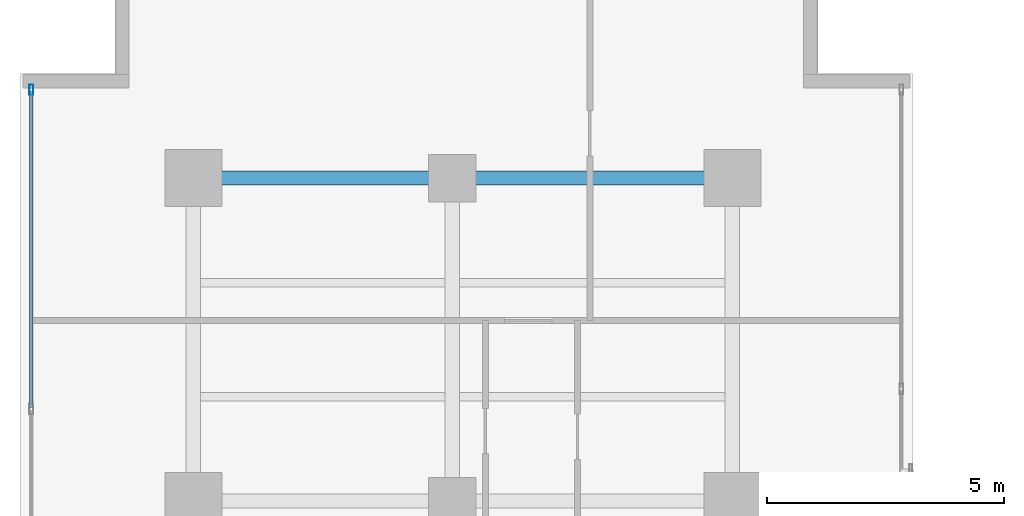
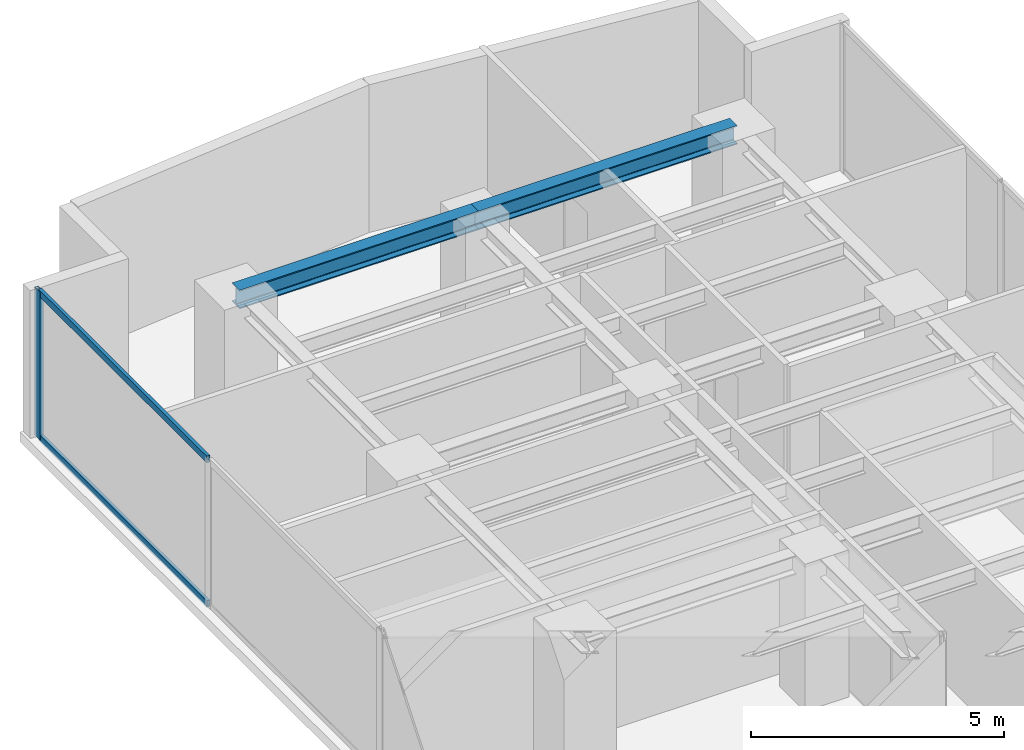
# One storey, part 16 of 26: 3 members, 2 beams, 1 element without a shape of its own.
"""IFC4 building model written with IfcOpenShell, lengths in metres."""

from ifc_helpers import new_model, si_unit, direction, frame, origin, origin_with_axes, origin_2d, place, context, subcontext, project, spatial, hollow_rectangle, i_section, extrude, source, transform, mapped, material, layer, layer_set, material_profile, profile_set, type_object, element, aggregate, save


model = new_model("IFC4")

# Units and contexts
model_context = context("Model", 3, precision=1e-05, world=origin(), true_north=direction((0.0, 1.0)))
body_context = subcontext(model_context, "Body", "Model", "MODEL_VIEW")
ifc_project = project(units=[si_unit("LENGTHUNIT", "METRE"), si_unit("AREAUNIT", "SQUARE_METRE"), si_unit("VOLUMEUNIT", "CUBIC_METRE"), si_unit("PLANEANGLEUNIT", "RADIAN"), si_unit("MASSUNIT", "GRAM", prefix="KILO")], contexts=[model_context])

# Site, building, storey
site_placement = place(None, origin())
site = spatial("IfcSite", under=ifc_project, at=site_placement, CompositionType="ELEMENT")
building_placement = place(site_placement, origin())
building = spatial("IfcBuilding", under=site, at=building_placement, Name="Kolvaren Waterfront Exchange", CompositionType="ELEMENT")
storey_placement = place(building_placement, frame((0.0, 0.0, 150.0)))
storey = spatial("IfcBuildingStorey", under=building, at=storey_placement, Name="L38", CompositionType="ELEMENT", Elevation=150.0)

# Beams
ifc_material_1 = material(Name="Steel S355", Category="steel")
ifc_material_profile_1 = material_profile(ifc_material_1, i_section(OverallWidth=0.300048828125, OverallDepth=0.449951171875, WebThickness=0.013916015625, FlangeThickness=0.02587890625, FilletRadius=0.027099609375, at=origin_2d()), Name="HEB450")
ifc_profile_set_1 = profile_set([ifc_material_profile_1], Name="Steel S355")
beam_type = type_object("IfcBeamType", Name="STR-BM-HEB450", PredefinedType="BEAM", material=ifc_profile_set_1)
beam_1_placement = place(storey_placement, frame((7.449951171875, 44.60009765625, 3.3349609375), z_axis=(1.0, 0.0, 0.0), x_axis=(0.0, 1.0, 0.0)))
element("IfcBeam", 1, at=beam_1_placement, inside=storey, type_object=beam_type, Name="L38 north-arm girder 4A", PredefinedType="BEAM", context=body_context, shape_type="SweptSolid", body=[
    extrude(i_section(OverallWidth=0.300048828125, OverallDepth=0.449951171875, WebThickness=0.013916015625, FlangeThickness=0.02587890625, FilletRadius=0.027099609375, at=origin_2d()), origin(), (0.0, 0.0, 1.0), 5.449951171875),
])
beam_2_placement = place(storey_placement, frame((12.89990234375, 44.60009765625, 3.3349609375), z_axis=(1.0, 0.0, 0.0), x_axis=(0.0, 1.0, 0.0)))
element("IfcBeam", 2, at=beam_2_placement, inside=storey, type_object=beam_type, Name="L38 north-arm girder 4B", PredefinedType="BEAM", context=body_context, shape_type="SweptSolid", body=[
    extrude(i_section(OverallWidth=0.300048828125, OverallDepth=0.449951171875, WebThickness=0.013916015625, FlangeThickness=0.02587890625, FilletRadius=0.027099609375, at=origin_2d()), origin(), (0.0, 0.0, 1.0), 5.900146484375),
])

# Curtain wall, members
ifc_material_2 = material(Name="Anodised aluminium 6063-T6", Category="aluminium")
ifc_layer = layer(ifc_material_2, 0.219970703125, Name="Anodised aluminium 6063-T6")
ifc_layer_set = layer_set([ifc_layer], Name="Anodised aluminium 6063-T6")
curtain_wall_type = type_object("IfcCurtainWallType", Name="ARC-CW-SYS2", PredefinedType="USERDEFINED", material=ifc_layer_set)
curtain_wall_placement = place(storey_placement, origin())
curtain_wall = element("IfcCurtainWall", 3, at=curtain_wall_placement, inside=storey, type_object=curtain_wall_type, Name="L38 stick curtain wall CW2 (CW-L38-W)", ObjectType="STICK CURTAIN WALL", PredefinedType="USERDEFINED")
ifc_material_profile_2 = material_profile(ifc_material_2, hollow_rectangle(XDim=0.080078125, YDim=0.219970703125, WallThickness=0.0048828125, at=origin_2d()), Name="ALU-MUL-220x80x5")
ifc_profile_set_2 = profile_set([ifc_material_profile_2], Name="Anodised aluminium 6063-T6")
member_type_1 = type_object("IfcMemberType", Name="ARC-CWM-220", PredefinedType="MULLION", material=ifc_profile_set_2)
shared_shape_1 = source(origin_with_axes(), body_context, "Body", "SweptSolid", [
    extrude(hollow_rectangle(XDim=0.080078125, YDim=0.219970703125, WallThickness=0.0048828125, at=origin_2d()), origin(), (0.0, 0.0, 1.0), 3.56005859375),
])
member_1_placement = place(storey_placement, frame((4.0400390625, 46.4599609375, 0.0), z_axis=(0.0, 0.0, 1.0), x_axis=(-1.0, 0.0, 0.0)))
member_1 = element("IfcMember", 4, at=member_1_placement, type_object=member_type_1, Name="CW2 mullion 7", PredefinedType="MULLION", context=body_context, shape_type="MappedRepresentation", body=[
    mapped(shared_shape_1, transform((0.0, 0.0, 0.0), x_axis=(1.0, 0.0, 0.0), y_axis=(0.0, 1.0, 0.0), z_axis=(0.0, 0.0, 1.0), scale=1.0)),
])
ifc_material_profile_3 = material_profile(ifc_material_2, hollow_rectangle(XDim=0.074951171875, YDim=0.159912109375, WallThickness=0.00439453125, at=origin_2d()), Name="ALU-TRN-160x75x4.5")
ifc_profile_set_3 = profile_set([ifc_material_profile_3], Name="Anodised aluminium 6063-T6")
member_type_2 = type_object("IfcMemberType", Name="ARC-CWT-160", PredefinedType="USERDEFINED", material=ifc_profile_set_3)
shared_shape_2 = source(origin_with_axes(), body_context, "Body", "SweptSolid", [
    extrude(hollow_rectangle(XDim=0.074951171875, YDim=0.159912109375, WallThickness=0.00439453125, at=origin_2d()), origin(), (0.0, 0.0, 1.0), 6.646484375),
])
member_2_placement = place(storey_placement, frame((4.0400390625, 39.7734375, 0.03759765625), z_axis=(0.0, 1.0, 0.0), x_axis=(-1.0, 0.0, 0.0)))
member_2 = element("IfcMember", 5, at=member_2_placement, type_object=member_type_2, Name="CW2 transom 6.1", ObjectType="TRANSOM", PredefinedType="USERDEFINED", context=body_context, shape_type="MappedRepresentation", body=[
    mapped(shared_shape_2, transform((0.0, 0.0, 0.0), x_axis=(1.0, 0.0, 0.0), y_axis=(0.0, 1.0, 0.0), z_axis=(0.0, 0.0, 1.0), scale=1.0)),
])
member_3_placement = place(storey_placement, frame((4.0400390625, 39.7734375, 3.5224609375), z_axis=(0.0, 1.0, 0.0), x_axis=(-1.0, 0.0, 0.0)))
member_3 = element("IfcMember", 6, at=member_3_placement, type_object=member_type_2, Name="CW2 transom 6.2", ObjectType="TRANSOM", PredefinedType="USERDEFINED", context=body_context, shape_type="MappedRepresentation", body=[
    mapped(shared_shape_2, transform((0.0, 0.0, 0.0), x_axis=(1.0, 0.0, 0.0), y_axis=(0.0, 1.0, 0.0), z_axis=(0.0, 0.0, 1.0), scale=1.0)),
])
aggregate(curtain_wall, [member_1, member_2, member_3])

save(model, "model.ifc")
